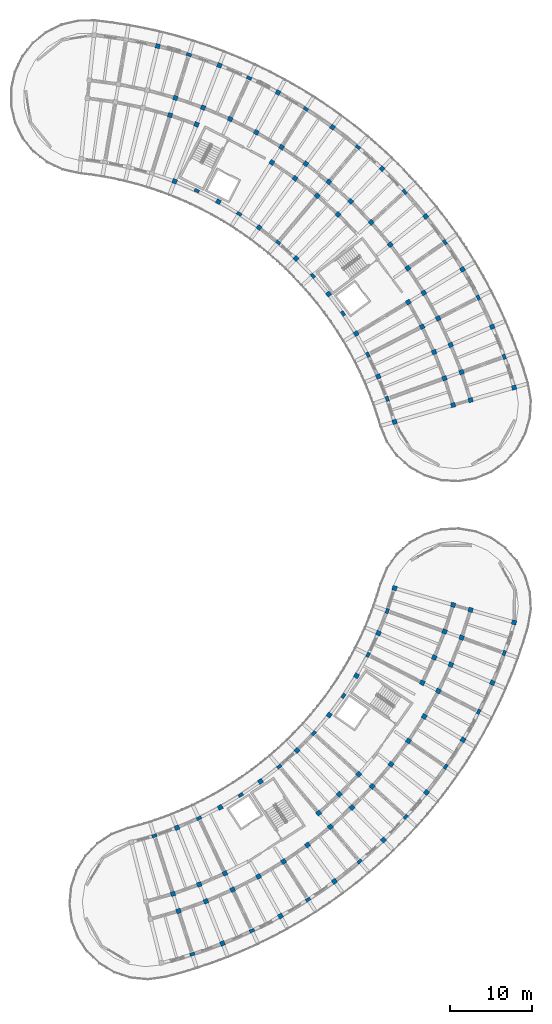
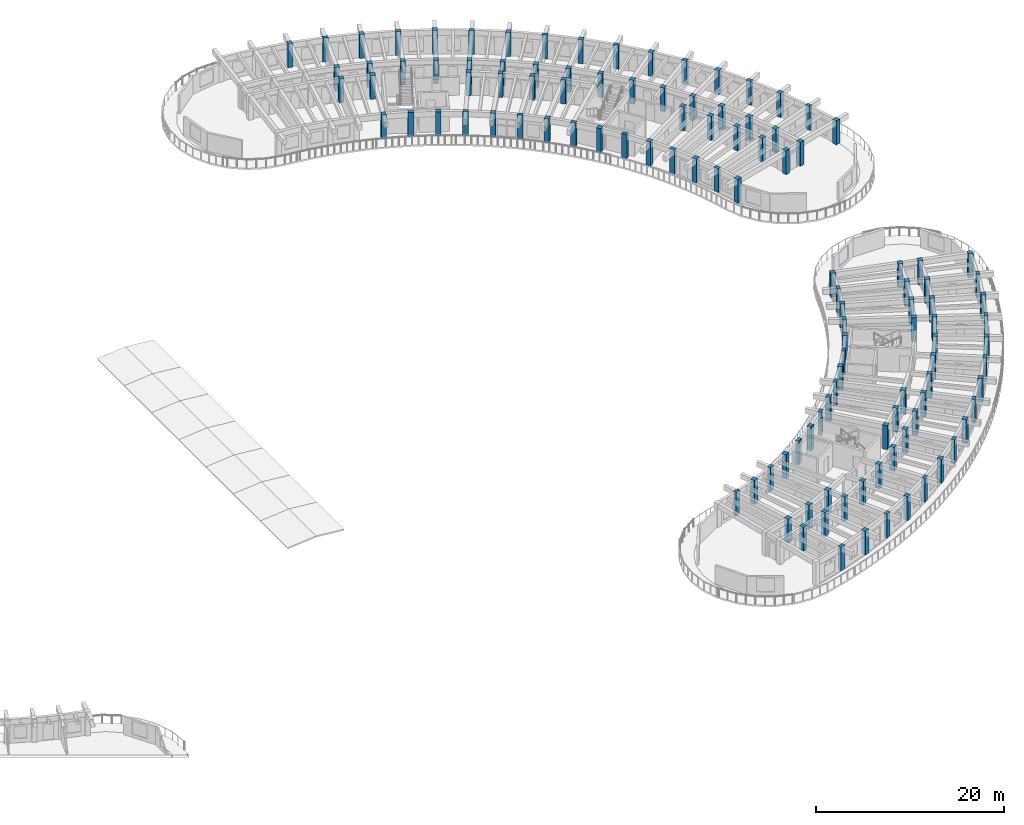
# One storey, part 2 of 69: 117 columns.
"""IFC4 building model written with IfcOpenShell, lengths in metres."""

from ifc_helpers import new_model, si_unit, direction, frame, origin, origin_2d, place, context, subcontext, project, spatial, rectangle, extrude, material, material_profile, profile_set, type_object, element, save


model = new_model("IFC4")

# Units and contexts
model_context = context("Model", 3, precision=1e-05, world=origin(), true_north=direction((0.0, 1.0)))
body_context = subcontext(model_context, "Body", "Model", "MODEL_VIEW")
ifc_project = project(units=[si_unit("LENGTHUNIT", "METRE"), si_unit("AREAUNIT", "SQUARE_METRE"), si_unit("VOLUMEUNIT", "CUBIC_METRE"), si_unit("PLANEANGLEUNIT", "RADIAN"), si_unit("MASSUNIT", "GRAM", prefix="KILO")], contexts=[model_context])

# Site, building, storey
site_placement = place(None, origin())
site = spatial("IfcSite", under=ifc_project, at=site_placement, CompositionType="ELEMENT")
building_placement = place(site_placement, origin())
building = spatial("IfcBuilding", under=site, at=building_placement, Name="Tanwirah Colonnade Gardens", CompositionType="ELEMENT")
storey_placement = place(building_placement, frame((0.0, 0.0, 15.56005859375)))
storey = spatial("IfcBuildingStorey", under=building, at=storey_placement, Name="L04", CompositionType="ELEMENT", Elevation=15.56005859375)

# Columns
ifc_material_1 = material(Name="Precast concrete C40/50", Category="concrete")
ifc_material_profile_1 = material_profile(ifc_material_1, rectangle(XDim=0.56005859375, YDim=0.56005859375, at=origin_2d()), Name="PC-COL 560x560")
ifc_profile_set_1 = profile_set([ifc_material_profile_1], Name="Precast concrete C40/50")
column_type_1 = type_object("IfcColumnType", Name="C-PC480", PredefinedType="COLUMN", material=ifc_profile_set_1)
for number, where, z_axis, x_axis, name in (
    (1, (136.80712890625, 15.1181640625, 0.0), (0.0, 0.0, 1.0), (0.304864299028, -0.952395799643, 0.0), "Block D L04 Column 1-R1"),
    (2, (137.47802734375, 13.02294921875, 0.0), (0.0, 0.0, 1.0), (0.304864299028, -0.952395799643, 0.0), "Block D L04 Column 1-R2"),
    (3, (137.291015625, 23.142822265625, 0.0), (0.0, 0.0, 1.0), (0.366501226724, -0.930417567982, 0.0), "Block D L04 Column 2-R0"),
    (4, (140.003173828125, 16.2578125, 0.0), (0.0, 0.0, 1.0), (0.366501226724, -0.930417567982, 0.0), "Block D L04 Column 2-R1"),
    (5, (140.809326171875, 14.2109375, 0.0), (0.0, 0.0, 1.0), (0.366501226724, -0.930417567982, 0.0), "Block D L04 Column 2-R2"),
    (6, (142.8251953125, 9.09375, 0.0), (0.0, 0.0, 1.0), (0.366501226724, -0.930417567982, 0.0), "Block D L04 Column 2-R3"),
    (7, (143.11767578125, 17.60400390625, 0.0), (0.0, 0.0, 1.0), (0.426568739901, -0.904455145454, 0.0), "Block D L04 Column 3-R1"),
    (8, (144.05615234375, 15.6142578125, 0.0), (0.0, 0.0, 1.0), (0.426568739901, -0.904455145454, 0.0), "Block D L04 Column 3-R2"),
    (9, (142.5498046875, 25.623046875, 0.0), (0.0, 0.0, 1.0), (0.484809620246, -0.874619707139, 0.0), "Block D L04 Column 4-R0"),
    (10, (147.203857421875, 17.226806640625, 0.0), (0.0, 0.0, 1.0), (0.484809620246, -0.874619707139, 0.0), "Block D L04 Column 4-R2"),
    (11, (149.870361328125, 12.41650390625, 0.0), (0.0, 0.0, 1.0), (0.484809620246, -0.874619707139, 0.0), "Block D L04 Column 4-R3"),
    (12, (150.23974609375, 19.041748046875, 0.0), (0.0, 0.0, 1.0), (0.540974471368, -0.841039012964, 0.0), "Block D L04 Column 5-R2"),
    (13, (147.43994140625, 28.7685546875, 0.0), (0.0, 0.0, 1.0), (0.594822786751, -0.803856860617, 0.0), "Block D L04 Column 6-R0"),
    (14, (153.150146484375, 21.051513671875, 0.0), (0.0, 0.0, 1.0), (0.594822786751, -0.803856860617, 0.0), "Block D L04 Column 6-R2"),
    (15, (156.421630859375, 16.63037109375, 0.0), (0.0, 0.0, 1.0), (0.594822786751, -0.803856860617, 0.0), "Block D L04 Column 6-R3"),
    (16, (154.50146484375, 24.926513671875, 0.0), (0.0, 0.0, 1.0), (0.646123979643, -0.763232469783, 0.0), "Block D L04 Column 7-R1"),
    (17, (155.923095703125, 23.247314453125, 0.0), (0.0, 0.0, 1.0), (0.646123979643, -0.763232469783, 0.0), "Block D L04 Column 7-R2"),
    (18, (151.877685546875, 32.525390625, 0.0), (0.0, 0.0, 1.0), (0.694658370459, -0.719339800339, 0.0), "Block D L04 Column 8-R0"),
    (19, (157.01806640625, 27.2021484375, 0.0), (0.0, 0.0, 1.0), (0.694658370459, -0.719339800339, 0.0), "Block D L04 Column 8-R1"),
    (20, (158.54638671875, 25.61962890625, 0.0), (0.0, 0.0, 1.0), (0.694658370459, -0.719339800339, 0.0), "Block D L04 Column 8-R2"),
    (21, (162.366943359375, 21.663330078125, 0.0), (0.0, 0.0, 1.0), (0.694658370459, -0.719339800339, 0.0), "Block D L04 Column 8-R3"),
    (22, (159.38037109375, 29.6376953125, 0.0), (0.0, 0.0, 1.0), (0.740218127487, -0.672366807435, 0.0), "Block D L04 Column 9-R1"),
    (23, (161.0087890625, 28.15869140625, 0.0), (0.0, 0.0, 1.0), (0.740218127487, -0.672366807435, 0.0), "Block D L04 Column 9-R2"),
    (24, (155.786865234375, 36.829345703125, 0.0), (0.0, 0.0, 1.0), (0.782608156852, -0.622514636638, 0.0), "Block D L04 Column 10-R0"),
    (25, (163.300048828125, 30.85302734375, 0.0), (0.0, 0.0, 1.0), (0.782608156852, -0.622514636638, 0.0), "Block D L04 Column 10-R2"),
    (26, (167.604248046875, 27.42919921875, 0.0), (0.0, 0.0, 1.0), (0.782608156852, -0.622514636638, 0.0), "Block D L04 Column 10-R3"),
    (27, (165.409912109375, 33.691650390625, 0.0), (0.0, 0.0, 1.0), (0.821646937942, -0.569996762596, 0.0), "Block D L04 Column 11-R2"),
    (28, (159.10107421875, 41.6064453125, 0.0), (0.0, 0.0, 1.0), (0.857167300702, -0.51503807491, 0.0), "Block D L04 Column 12-R0"),
    (29, (167.329833984375, 36.662109375, 0.0), (0.0, 0.0, 1.0), (0.857167300702, -0.51503807491, 0.0), "Block D L04 Column 12-R2"),
    (30, (172.04443359375, 33.82958984375, 0.0), (0.0, 0.0, 1.0), (0.857167300702, -0.51503807491, 0.0), "Block D L04 Column 12-R3"),
    (31, (167.095458984375, 40.75927734375, 0.0), (0.0, 0.0, 1.0), (0.889017141486, -0.457873915117, 0.0), "Block D L04 Column 13-R1"),
    (32, (169.05126953125, 39.751953125, 0.0), (0.0, 0.0, 1.0), (0.889017141486, -0.457873915117, 0.0), "Block D L04 Column 13-R2"),
    (33, (161.763427734375, 46.775634765625, 0.0), (0.0, 0.0, 1.0), (0.917060074385, -0.398749068925, 0.0), "Block D L04 Column 14-R0"),
    (34, (168.549560546875, 43.824951171875, 0.0), (0.0, 0.0, 1.0), (0.917060074385, -0.398749068925, 0.0), "Block D L04 Column 14-R1"),
    (35, (170.567138671875, 42.947509765625, 0.0), (0.0, 0.0, 1.0), (0.917060074385, -0.398749068925, 0.0), "Block D L04 Column 14-R2"),
    (36, (175.61083984375, 40.75439453125, 0.0), (0.0, 0.0, 1.0), (0.917060074385, -0.398749068925, 0.0), "Block D L04 Column 14-R3"),
    (37, (169.800048828125, 46.97900390625, 0.0), (0.0, 0.0, 1.0), (0.941176015256, -0.337916718003, 0.0), "Block D L04 Column 15-R1"),
    (38, (171.87060546875, 46.235595703125, 0.0), (0.0, 0.0, 1.0), (0.941176015256, -0.337916718003, 0.0), "Block D L04 Column 15-R2"),
    (39, (163.72802734375, 52.247802734375, 0.0), (0.0, 0.0, 1.0), (0.961261695938, -0.275637355817, 0.0), "Block D L04 Column 16-R0"),
    (40, (170.84130859375, 50.208251953125, 0.0), (0.0, 0.0, 1.0), (0.961261695938, -0.275637355817, 0.0), "Block D L04 Column 16-R1"),
    (41, (172.956298828125, 49.601806640625, 0.0), (0.0, 0.0, 1.0), (0.961261695938, -0.275637355817, 0.0), "Block D L04 Column 16-R2"),
    (42, (178.2431640625, 48.085693359375, 0.0), (0.0, 0.0, 1.0), (0.961261695938, -0.275637355817, 0.0), "Block D L04 Column 16-R3"),
):
    element("IfcColumn", number, at=place(storey_placement, frame(where, z_axis=z_axis, x_axis=x_axis)), inside=storey, type_object=column_type_1, Name=name, PredefinedType="COLUMN", context=body_context, shape_type="SweptSolid", body=[
        extrude(rectangle(XDim=0.56005859375, YDim=0.56005859375, at=origin_2d()), origin(), (0.0, 0.0, 1.0), 3.10986328125),
    ])
ifc_material_2 = material(Name="Precast concrete C45/55", Category="concrete")
ifc_material_profile_2 = material_profile(ifc_material_2, rectangle(XDim=0.550048828125, YDim=0.550048828125, at=origin_2d()), Name="PC-COL 550x550")
ifc_profile_set_2 = profile_set([ifc_material_profile_2], Name="Precast concrete C45/55")
column_type_2 = type_object("IfcColumnType", Name="C-PC550", PredefinedType="COLUMN", material=ifc_profile_set_2)
for number, where, z_axis, x_axis, name in (
    (43, (163.72802734375, 72.4521484375, 0.0), (0.0, 0.0, 1.0), (0.961261695938, 0.275637355817, 0.0), "Block B L04 Column 0-R0"),
    (44, (170.84130859375, 74.49169921875, 0.0), (0.0, 0.0, 1.0), (0.961261695938, 0.275637355817, 0.0), "Block B L04 Column 0-R1"),
    (45, (172.956298828125, 75.09814453125, 0.0), (0.0, 0.0, 1.0), (0.961261695938, 0.275637355817, 0.0), "Block B L04 Column 0-R2"),
    (46, (178.2431640625, 76.6142578125, 0.0), (0.0, 0.0, 1.0), (0.961261695938, 0.275637355817, 0.0), "Block B L04 Column 0-R3"),
    (47, (169.79150390625, 77.74462890625, 0.0), (0.0, 0.0, 1.0), (0.941012076693, 0.338372976931, 0.0), "Block B L04 Column 1-R1"),
    (48, (171.86181640625, 78.489013671875, 0.0), (0.0, 0.0, 1.0), (0.941012076693, 0.338372976931, 0.0), "Block B L04 Column 1-R2"),
    (49, (161.74609375, 77.9638671875, 0.0), (0.0, 0.0, 1.0), (0.916673002238, 0.39963809499, 0.0), "Block B L04 Column 2-R0"),
    (50, (168.529541015625, 80.921142578125, 0.0), (0.0, 0.0, 1.0), (0.916673002238, 0.39963809499, 0.0), "Block B L04 Column 2-R1"),
    (51, (170.546142578125, 81.800537109375, 0.0), (0.0, 0.0, 1.0), (0.916673002238, 0.39963809499, 0.0), "Block B L04 Column 2-R2"),
    (52, (175.587890625, 83.99853515625, 0.0), (0.0, 0.0, 1.0), (0.916673002238, 0.39963809499, 0.0), "Block B L04 Column 2-R3"),
    (53, (167.06103515625, 84.0078125, 0.0), (0.0, 0.0, 1.0), (0.88835024545, 0.459166463723, 0.0), "Block B L04 Column 3-R1"),
    (54, (169.015380859375, 85.01806640625, 0.0), (0.0, 0.0, 1.0), (0.88835024545, 0.459166463723, 0.0), "Block B L04 Column 3-R2"),
    (55, (159.056640625, 83.167236328125, 0.0), (0.0, 0.0, 1.0), (0.856166891514, 0.516699384434, 0.0), "Block B L04 Column 4-R0"),
    (56, (165.392333984375, 86.990966796875, 0.0), (0.0, 0.0, 1.0), (0.856166891514, 0.516699384434, 0.0), "Block B L04 Column 4-R1"),
    (57, (167.27587890625, 88.127685546875, 0.0), (0.0, 0.0, 1.0), (0.856166891514, 0.516699384434, 0.0), "Block B L04 Column 4-R2"),
    (58, (171.984619140625, 90.969482421875, 0.0), (0.0, 0.0, 1.0), (0.856166891514, 0.516699384434, 0.0), "Block B L04 Column 4-R3"),
    (59, (165.335205078125, 91.115966796875, 0.0), (0.0, 0.0, 1.0), (0.820262803018, 0.571986830255, 0.0), "Block B L04 Column 5-R2"),
    (60, (155.706298828125, 87.971923828125, 0.0), (0.0, 0.0, 1.0), (0.780794012137, 0.624788532714, 0.0), "Block B L04 Column 6-R0"),
    (61, (163.201904296875, 93.9697265625, 0.0), (0.0, 0.0, 1.0), (0.780794012137, 0.624788532714, 0.0), "Block B L04 Column 6-R2"),
    (62, (167.496337890625, 97.40625, 0.0), (0.0, 0.0, 1.0), (0.780794012137, 0.624788532714, 0.0), "Block B L04 Column 6-R3"),
    (63, (160.88525390625, 96.677001953125, 0.0), (0.0, 0.0, 1.0), (0.73793204255, 0.674875025896, 0.0), "Block B L04 Column 7-R2"),
    (64, (151.75341796875, 92.294189453125, 0.0), (0.0, 0.0, 1.0), (0.691863164029, 0.722028643656, 0.0), "Block B L04 Column 8-R0"),
    (65, (156.873046875, 97.63720703125, 0.0), (0.0, 0.0, 1.0), (0.691863164029, 0.722028643656, 0.0), "Block B L04 Column 8-R1"),
    (66, (158.395263671875, 99.2255859375, 0.0), (0.0, 0.0, 1.0), (0.691863164029, 0.722028643656, 0.0), "Block B L04 Column 8-R2"),
    (67, (162.200439453125, 103.19677734375, 0.0), (0.0, 0.0, 1.0), (0.691863164029, 0.722028643656, 0.0), "Block B L04 Column 8-R3"),
    (68, (154.32861328125, 99.91943359375, 0.0), (0.0, 0.0, 1.0), (0.642787582947, 0.766044465556, 0.0), "Block B L04 Column 9-R1"),
    (69, (155.74267578125, 101.604736328125, 0.0), (0.0, 0.0, 1.0), (0.642787582947, 0.766044465556, 0.0), "Block B L04 Column 9-R2"),
    (70, (147.266357421875, 96.05908203125, 0.0), (0.0, 0.0, 1.0), (0.590918572221, 0.806731207407, 0.0), "Block B L04 Column 10-R0"),
    (71, (151.63916015625, 102.029052734375, 0.0), (0.0, 0.0, 1.0), (0.590918572221, 0.806731207407, 0.0), "Block B L04 Column 10-R1"),
    (72, (152.939208984375, 103.8037109375, 0.0), (0.0, 0.0, 1.0), (0.590918572221, 0.806731207407, 0.0), "Block B L04 Column 10-R2"),
    (73, (156.189208984375, 108.24072265625, 0.0), (0.0, 0.0, 1.0), (0.590918572221, 0.806731207407, 0.0), "Block B L04 Column 10-R3"),
    (74, (148.816650390625, 103.956787109375, 0.0), (0.0, 0.0, 1.0), (0.536481544469, 0.843912052553, 0.0), "Block B L04 Column 11-R1"),
    (75, (149.996826171875, 105.8134765625, 0.0), (0.0, 0.0, 1.0), (0.536481544469, 0.843912052553, 0.0), "Block B L04 Column 11-R2"),
    (76, (142.3232421875, 99.20166015625, 0.0), (0.0, 0.0, 1.0), (0.479713072413, 0.877425420281, 0.0), "Block B L04 Column 12-R0"),
    (77, (146.928466796875, 107.624755859375, 0.0), (0.0, 0.0, 1.0), (0.479713072413, 0.877425420281, 0.0), "Block B L04 Column 12-R2"),
    (78, (149.56689453125, 112.45068359375, 0.0), (0.0, 0.0, 1.0), (0.479713072413, 0.877425420281, 0.0), "Block B L04 Column 12-R3"),
    (79, (143.74755859375, 109.230224609375, 0.0), (0.0, 0.0, 1.0), (0.420859860775, 0.907125668024, 0.0), "Block B L04 Column 13-R2"),
    (80, (137.010009765625, 101.666748046875, 0.0), (0.0, 0.0, 1.0), (0.36017767415, 0.932883724289, 0.0), "Block B L04 Column 14-R0"),
    (81, (139.67529296875, 108.570068359375, 0.0), (0.0, 0.0, 1.0), (0.36017767415, 0.932883724289, 0.0), "Block B L04 Column 14-R1"),
    (82, (140.467529296875, 110.622314453125, 0.0), (0.0, 0.0, 1.0), (0.36017767415, 0.932883724289, 0.0), "Block B L04 Column 14-R2"),
    (83, (142.448486328125, 115.753173828125, 0.0), (0.0, 0.0, 1.0), (0.36017767415, 0.932883724289, 0.0), "Block B L04 Column 14-R3"),
    (84, (136.44775390625, 109.6953125, 0.0), (0.0, 0.0, 1.0), (0.297930225503, 0.954587649581, 0.0), "Block B L04 Column 15-R1"),
    (85, (137.10302734375, 111.79541015625, 0.0), (0.0, 0.0, 1.0), (0.297930225503, 0.954587649581, 0.0), "Block B L04 Column 15-R2"),
    (86, (134.957763671875, 118.091064453125, 0.0), (0.0, 0.0, 1.0), (0.234388030122, 0.972143122866, 0.0), "Block B L04 Column 16-R3"),
):
    element("IfcColumn", number, at=place(storey_placement, frame(where, z_axis=z_axis, x_axis=x_axis)), inside=storey, type_object=column_type_2, Name=name, PredefinedType="COLUMN", context=body_context, shape_type="SweptSolid", body=[
        extrude(rectangle(XDim=0.550048828125, YDim=0.550048828125, at=origin_2d()), origin(), (0.0, 0.0, 1.0), 3.10986328125),
    ])
ifc_material_profile_3 = material_profile(ifc_material_1, rectangle(XDim=0.3798828125, YDim=0.6201171875, at=origin_2d()), Name="PC-PIL 380x620")
ifc_profile_set_3 = profile_set([ifc_material_profile_3], Name="Precast concrete C40/50")
column_type_3 = type_object("IfcColumnType", Name="PIL-380", PredefinedType="PILASTER", material=ifc_profile_set_3)
for number, where, z_axis, x_axis, name in (
    (87, (162.827880859375, 75.24072265625, 0.0), (0.0, 0.0, 1.0), (0.941012076693, 0.338372976931, 0.0), "Block B L04 Column 1-R0"),
    (88, (177.037353515625, 80.35009765625, 0.0), (0.0, 0.0, 1.0), (0.941012076693, 0.338372976931, 0.0), "Block B L04 Column 1-R3"),
    (89, (160.487060546875, 80.60986328125, 0.0), (0.0, 0.0, 1.0), (0.88835024545, 0.459166463723, 0.0), "Block B L04 Column 3-R0"),
    (90, (173.9013671875, 87.54345703125, 0.0), (0.0, 0.0, 1.0), (0.88835024545, 0.459166463723, 0.0), "Block B L04 Column 3-R3"),
    (91, (157.460693359375, 85.624755859375, 0.0), (0.0, 0.0, 1.0), (0.820262803018, 0.571986830255, 0.0), "Block B L04 Column 5-R0"),
    (92, (169.8466796875, 94.26171875, 0.0), (0.0, 0.0, 1.0), (0.820262803018, 0.571986830255, 0.0), "Block B L04 Column 5-R3"),
    (93, (153.801025390625, 90.1982421875, 0.0), (0.0, 0.0, 1.0), (0.73793204255, 0.674875025896, 0.0), "Block B L04 Column 7-R0"),
    (94, (164.94384765625, 100.388916015625, 0.0), (0.0, 0.0, 1.0), (0.73793204255, 0.674875025896, 0.0), "Block B L04 Column 7-R3"),
    (95, (149.572021484375, 94.250732421875, 0.0), (0.0, 0.0, 1.0), (0.642787582947, 0.766044465556, 0.0), "Block B L04 Column 9-R0"),
    (96, (159.278076171875, 105.81787109375, 0.0), (0.0, 0.0, 1.0), (0.642787582947, 0.766044465556, 0.0), "Block B L04 Column 9-R3"),
    (97, (144.8466796875, 97.7119140625, 0.0), (0.0, 0.0, 1.0), (0.536481544469, 0.843912052553, 0.0), "Block B L04 Column 11-R0"),
    (98, (152.947509765625, 110.455078125, 0.0), (0.0, 0.0, 1.0), (0.536481544469, 0.843912052553, 0.0), "Block B L04 Column 11-R3"),
    (99, (139.707275390625, 100.521728515625, 0.0), (0.0, 0.0, 1.0), (0.420859860775, 0.907125668024, 0.0), "Block B L04 Column 13-R0"),
    (100, (146.062255859375, 114.21923828125, 0.0), (0.0, 0.0, 1.0), (0.420859860775, 0.907125668024, 0.0), "Block B L04 Column 13-R3"),
    (101, (138.74169921875, 117.045654296875, 0.0), (0.0, 0.0, 1.0), (0.297930225503, 0.954587649581, 0.0), "Block B L04 Column 15-R3"),
    (102, (134.55126953125, 22.166015625, 0.0), (0.0, 0.0, 1.0), (0.304864299028, -0.952395799643, 0.0), "Block D L04 Column 1-R0"),
    (103, (139.15478515625, 7.784912109375, 0.0), (0.0, 0.0, 1.0), (0.304864299028, -0.952395799643, 0.0), "Block D L04 Column 1-R3"),
    (104, (139.9609375, 24.296875, 0.0), (0.0, 0.0, 1.0), (0.426568739901, -0.904455145454, 0.0), "Block D L04 Column 3-R0"),
    (105, (146.402099609375, 10.6396484375, 0.0), (0.0, 0.0, 1.0), (0.426568739901, -0.904455145454, 0.0), "Block D L04 Column 3-R3"),
    (106, (145.04638671875, 27.11572265625, 0.0), (0.0, 0.0, 1.0), (0.540974471368, -0.841039012964, 0.0), "Block D L04 Column 5-R0"),
    (107, (153.215087890625, 14.416015625, 0.0), (0.0, 0.0, 1.0), (0.540974471368, -0.841039012964, 0.0), "Block D L04 Column 5-R3"),
    (108, (149.72021484375, 30.57421875, 0.0), (0.0, 0.0, 1.0), (0.646123979643, -0.763232469783, 0.0), "Block D L04 Column 7-R0"),
    (109, (159.4765625, 19.049560546875, 0.0), (0.0, 0.0, 1.0), (0.646123979643, -0.763232469783, 0.0), "Block D L04 Column 7-R3"),
    (110, (153.902587890625, 34.61328125, 0.0), (0.0, 0.0, 1.0), (0.740218127487, -0.672366807435, 0.0), "Block D L04 Column 9-R0"),
    (111, (165.080078125, 24.46044921875, 0.0), (0.0, 0.0, 1.0), (0.740218127487, -0.672366807435, 0.0), "Block D L04 Column 9-R3"),
    (112, (157.522216796875, 39.16357421875, 0.0), (0.0, 0.0, 1.0), (0.821646937942, -0.569996762596, 0.0), "Block D L04 Column 11-R0"),
    (113, (169.928955078125, 30.556640625, 0.0), (0.0, 0.0, 1.0), (0.821646937942, -0.569996762596, 0.0), "Block D L04 Column 11-R3"),
    (114, (160.516845703125, 44.1474609375, 0.0), (0.0, 0.0, 1.0), (0.889017141486, -0.457873915117, 0.0), "Block D L04 Column 13-R0"),
    (115, (173.94091796875, 37.233642578125, 0.0), (0.0, 0.0, 1.0), (0.889017141486, -0.457873915117, 0.0), "Block D L04 Column 13-R3"),
    (116, (162.835205078125, 49.4794921875, 0.0), (0.0, 0.0, 1.0), (0.941176015256, -0.337916718003, 0.0), "Block D L04 Column 15-R0"),
    (117, (177.047119140625, 44.376953125, 0.0), (0.0, 0.0, 1.0), (0.941176015256, -0.337916718003, 0.0), "Block D L04 Column 15-R3"),
):
    element("IfcColumn", number, at=place(storey_placement, frame(where, z_axis=z_axis, x_axis=x_axis)), inside=storey, type_object=column_type_3, Name=name, PredefinedType="PILASTER", context=body_context, shape_type="SweptSolid", body=[
        extrude(rectangle(XDim=0.3798828125, YDim=0.6201171875, at=origin_2d()), origin(), (0.0, 0.0, 1.0), 3.10986328125),
    ])

save(model, "model.ifc")
